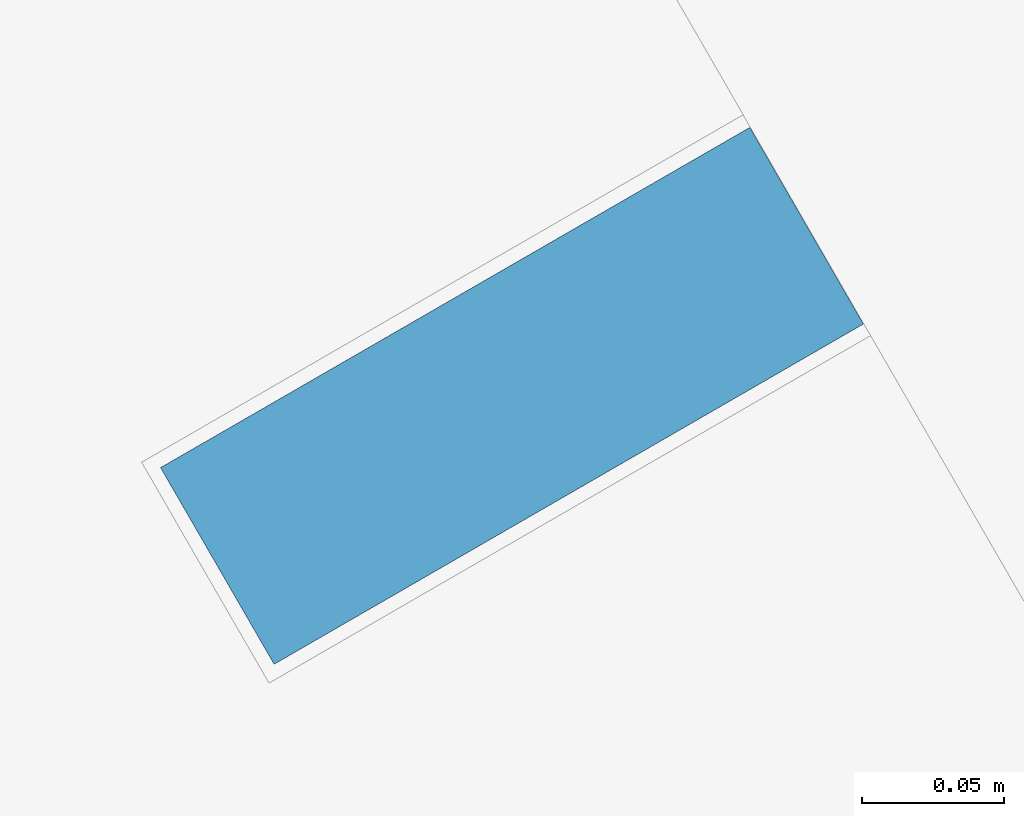
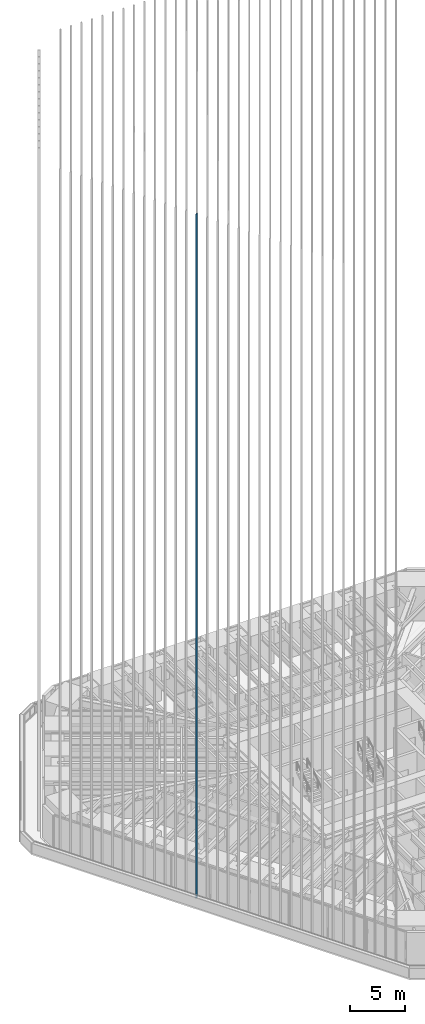
# One storey, part 40 of 238: 1 member, 1 element without a shape of its own.
"""IFC4 building model written with IfcOpenShell, lengths in metres."""

import ifcopenshell
import ifcopenshell.guid

model = None  # the IFC model being written
_history = None  # IfcOwnerHistory: only IFC2X3 demands one
_inside = {}  # id of a spatial element -> (the spatial element, [elements in it])
_under = {}  # id of a project, library or spatial element -> (it, [spatial elements below it])
_declared = {}  # id of a project -> (the project, [libraries it declares])
_typed = {}  # id of a type object -> (the type object, [elements of that type])
_made_of = {}  # id of a material, layer set ... -> (it, [elements and type objects made of it])


def new_model(schema):
    """Start an empty IFC model of exactly this schema.

    Asked for "IFC4X3", IfcOpenShell would pick the latest addendum, in which some entities
    have other attributes; the version numbers below select the first issue.
    IFC2X3 requires an IfcOwnerHistory on every rooted entity: one is made here for all.
    """
    global model, _history
    if schema == "IFC4X3":
        model = ifcopenshell.file(schema_version=(4, 3, 0, 0))
    else:
        model = ifcopenshell.file(schema=schema)
    _inside.clear()
    _under.clear()
    _declared.clear()
    _typed.clear()
    _made_of.clear()
    _history = None
    if model.schema == "IFC2X3":
        org = make("IfcOrganization", Name="unknown")
        user = make(
            "IfcPersonAndOrganization",
            ThePerson=make("IfcPerson", FamilyName="unknown"),
            TheOrganization=org,
        )
        app = make(
            "IfcApplication",
            ApplicationDeveloper=org,
            Version="unknown",
            ApplicationFullName="unknown",
            ApplicationIdentifier="unknown",
        )
        _history = make(
            "IfcOwnerHistory",
            OwningUser=user,
            OwningApplication=app,
            ChangeAction="ADDED",
            CreationDate=0,
        )
    return model


def make(cls, **values):
    """One entity of the class cls with the attributes given. An attribute that is None is left unset."""
    return model.create_entity(
        cls, **{name: value for name, value in values.items() if value is not None}
    )


def rooted(cls, **values):
    """An entity with a GlobalId (a new one), such as an element, a storey or a relation."""
    return make(cls, GlobalId=ifcopenshell.guid.new(), OwnerHistory=_history, **values)


def si_unit(unit_type, name, prefix=None):
    """IfcSIUnit, for example si_unit("LENGTHUNIT", "METRE", prefix="MILLI")."""
    return make("IfcSIUnit", UnitType=unit_type, Prefix=prefix, Name=name)


def assignment(units):
    """IfcUnitAssignment: the units of a project."""
    return None if units is None else make("IfcUnitAssignment", Units=units)


def point(xyz):
    """IfcCartesianPoint."""
    return None if xyz is None else make("IfcCartesianPoint", Coordinates=xyz)


def direction(xyz):
    """IfcDirection."""
    return None if xyz is None else make("IfcDirection", DirectionRatios=xyz)


def frame(location, z_axis=None, x_axis=None):
    """IfcAxis2Placement3D, a coordinate frame: its origin and axes. An axis left out is left unset."""
    return make(
        "IfcAxis2Placement3D",
        Location=point(location),
        Axis=direction(z_axis),
        RefDirection=direction(x_axis),
    )


def frame_2d(location, x_axis=None):
    """IfcAxis2Placement2D, a coordinate frame in the plane: its origin and x axis."""
    return make(
        "IfcAxis2Placement2D", Location=point(location), RefDirection=direction(x_axis)
    )


def origin():
    """The frame at (0, 0, 0) with its axes left unset."""
    return frame((0.0, 0.0, 0.0))


def origin_2d():
    """The frame at (0, 0) in the plane with its x axis left unset."""
    return frame_2d((0.0, 0.0))


def place(relative_to, where):
    """IfcLocalPlacement: puts the frame where relative to a parent placement (None: the world)."""
    return make(
        "IfcLocalPlacement", PlacementRelTo=relative_to, RelativePlacement=where
    )


def context(
    kind, dimensions, precision=None, world=None, true_north=None, identifier=None
):
    """IfcGeometricRepresentationContext, for example the 3D "Model" context."""
    return make(
        "IfcGeometricRepresentationContext",
        ContextIdentifier=identifier,
        ContextType=kind,
        CoordinateSpaceDimension=dimensions,
        Precision=precision,
        WorldCoordinateSystem=world,
        TrueNorth=true_north,
    )


def subcontext(parent, identifier, kind, view, scale=None):
    """IfcGeometricRepresentationSubContext, for example "Body" below "Model"."""
    return make(
        "IfcGeometricRepresentationSubContext",
        ContextIdentifier=identifier,
        ContextType=kind,
        ParentContext=parent,
        TargetScale=scale,
        TargetView=view,
    )


def project(units=None, contexts=None):
    """IfcProject with its units and contexts."""
    return rooted(
        "IfcProject",
        Name="project",
        RepresentationContexts=contexts,
        UnitsInContext=assignment(units),
    )


def spatial(cls, under=None, at=None, **own):
    """A site, building, storey or space (cls), placed at a placement, below another one or the project."""
    s = rooted(cls, ObjectPlacement=at, **own)
    if under is not None:
        _under.setdefault(under.id(), (under, []))[1].append(s)
    return s


def profile(cls, at=None, kind="AREA", **sizes):
    """A parametric profile (cls). Its sizes go by their IFC names, for example OverallWidth=200.0."""
    return make(cls, ProfileType=kind, Position=at, **sizes)


def rectangle(**sizes):
    """IfcRectangleProfileDef."""
    return profile("IfcRectangleProfileDef", **sizes)


def extrude(swept, where, along, depth):
    """IfcExtrudedAreaSolid: the profile swept, set in the frame where, extruded along a direction by depth."""
    return make(
        "IfcExtrudedAreaSolid",
        SweptArea=swept,
        Position=where,
        ExtrudedDirection=direction(along),
        Depth=depth,
    )


def shape(context_of_items, identifier, shape_type, items):
    """IfcShapeRepresentation: the items that make up one representation, for example the "Body"."""
    return make(
        "IfcShapeRepresentation",
        ContextOfItems=context_of_items,
        RepresentationIdentifier=identifier,
        RepresentationType=shape_type,
        Items=items,
    )


def material(Name=None, Category=None):
    """IfcMaterial."""
    return make("IfcMaterial", Name=Name, Category=Category)


def material_profile(
    of_material, cross_section, Name=None, Category=None, Priority=None
):
    """IfcMaterialProfile: a cross section and its material."""
    return make(
        "IfcMaterialProfile",
        Name=Name,
        Material=of_material,
        Profile=cross_section,
        Priority=Priority,
        Category=Category,
    )


def profile_set(profiles, Name=None, composite=None):
    """IfcMaterialProfileSet."""
    return make(
        "IfcMaterialProfileSet",
        Name=Name,
        MaterialProfiles=profiles,
        CompositeProfile=composite,
    )


def made_of(thing, what):
    """Note that an element or type object is made of a material, layer set ...; save() writes the relation."""
    if what is not None:
        _made_of.setdefault(what.id(), (what, []))[1].append(thing)
    return thing


def type_object(cls, material=None, **own):
    """A type object (cls), such as IfcWallType, which elements share."""
    return made_of(rooted(cls, **own), material)


def element(
    cls,
    number,
    at=None,
    inside=None,
    cuts=None,
    type_object=None,
    material=None,
    context=None,
    identifier="Body",
    shape_type=None,
    held_by="IfcProductDefinitionShape",
    body=None,
    shapes=None,
    **own,
):
    """One element of the class cls, such as IfcWall. Its Tag is "e" and its number.

    at: its placement. inside: the storey or other place that contains it. cuts: it is an
    opening in that element (IfcRelVoidsElement). A single representation is given by context,
    identifier, shape_type and body (its items); several are given by shapes. held_by: the class
    of the entity that holds the representations. save() writes the other relations.
    """
    e = rooted(cls, Tag="e%d" % number, ObjectPlacement=at, **own)
    if body is not None:
        shapes = [shape(context, identifier, shape_type, body)]
    if shapes is not None:
        e.Representation = make(held_by, Representations=shapes)
    if inside is not None:
        _inside.setdefault(inside.id(), (inside, []))[1].append(e)
    if cuts is not None:
        rooted(
            "IfcRelVoidsElement", RelatingBuildingElement=cuts, RelatedOpeningElement=e
        )
    if type_object is not None:
        _typed.setdefault(type_object.id(), (type_object, []))[1].append(e)
    return made_of(e, material)


def aggregate(whole, parts):
    """IfcRelAggregates: a whole, such as a stair, and the parts it consists of."""
    return rooted("IfcRelAggregates", RelatingObject=whole, RelatedObjects=parts)


def save(model, path):
    """Write the relations noted so far, then the file.

    IfcRelAggregates (storeys below a building ...), IfcRelContainedInSpatialStructure (elements
    in a storey), IfcRelDefinesByType, IfcRelAssociatesMaterial and IfcRelDeclares: one each for
    every whole, place, type object, material and project.
    """
    for whole, parts in _under.values():
        aggregate(whole, parts)
    for where, things in _inside.values():
        rooted(
            "IfcRelContainedInSpatialStructure",
            RelatedElements=things,
            RelatingStructure=where,
        )
    for kind, things in _typed.values():
        rooted("IfcRelDefinesByType", RelatedObjects=things, RelatingType=kind)
    for what, things in _made_of.values():
        rooted("IfcRelAssociatesMaterial", RelatedObjects=things, RelatingMaterial=what)
    for by, libraries in _declared.values():
        rooted("IfcRelDeclares", RelatingContext=by, RelatedDefinitions=libraries)
    model.write(path)


model = new_model("IFC4")

# Units and contexts
model_context = context("Model", 3, precision=1e-05, world=origin(), true_north=direction((0.0, 1.0)))
body_context = subcontext(model_context, "Body", "Model", "MODEL_VIEW")
ifc_project = project(units=[si_unit("LENGTHUNIT", "METRE"), si_unit("AREAUNIT", "SQUARE_METRE"), si_unit("VOLUMEUNIT", "CUBIC_METRE"), si_unit("PLANEANGLEUNIT", "RADIAN"), si_unit("MASSUNIT", "GRAM", prefix="KILO")], contexts=[model_context])

# Site, building, storey
site_placement = place(None, origin())
site = spatial("IfcSite", under=ifc_project, at=site_placement, CompositionType="ELEMENT")
building_placement = place(site_placement, origin())
building = spatial("IfcBuilding", under=site, at=building_placement, Name="Sandreach Pilgrim Tower", CompositionType="ELEMENT")
storey_placement = place(building_placement, frame((0.0, 0.0, 96.800048828125)))
storey = spatial("IfcBuildingStorey", under=building, at=storey_placement, Name="L23", CompositionType="ELEMENT", Elevation=96.800048828125)

# Curtain wall, member
ifc_material_1 = material(Name="Aluminium framed curtain wall", Category="aluminium")
curtain_wall_type = type_object("IfcCurtainWallType", Name="Hotel tower curtain wall", PredefinedType="NOTDEFINED", material=ifc_material_1)
curtain_wall_placement = place(storey_placement, origin())
curtain_wall = element("IfcCurtainWall", 1, at=curtain_wall_placement, inside=storey, type_object=curtain_wall_type, Name="CW-2 L23 SW", PredefinedType="NOTDEFINED")
ifc_material_2 = material(Name="Extruded terracotta on aluminium core", Category="masonry")
ifc_material_profile = material_profile(ifc_material_2, rectangle(XDim=0.080078125, YDim=0.239990234375, at=origin_2d()), Name="TBW 80X240")
ifc_profile_set = profile_set([ifc_material_profile], Name="Extruded terracotta on aluminium core")
member_type = type_object("IfcMemberType", Name="Terracotta baguette west", PredefinedType="USERDEFINED", material=ifc_profile_set)
member_placement = place(storey_placement, frame((-21.49609375, -8.595458984375, 0.0), z_axis=(0.0, 0.0, 1.0), x_axis=(-0.5, 0.866025403784, 0.0)))
member = element("IfcMember", 2, at=member_placement, type_object=member_type, Name="Baguette Z2 SW20", ObjectType="BAGUETTE", PredefinedType="USERDEFINED", context=body_context, shape_type="SweptSolid", body=[
    extrude(rectangle(XDim=0.080078125, YDim=0.239990234375, at=origin_2d()), origin(), (0.0, 0.0, 1.0), 75.83984375),
])
aggregate(curtain_wall, [member])

save(model, "model.ifc")
